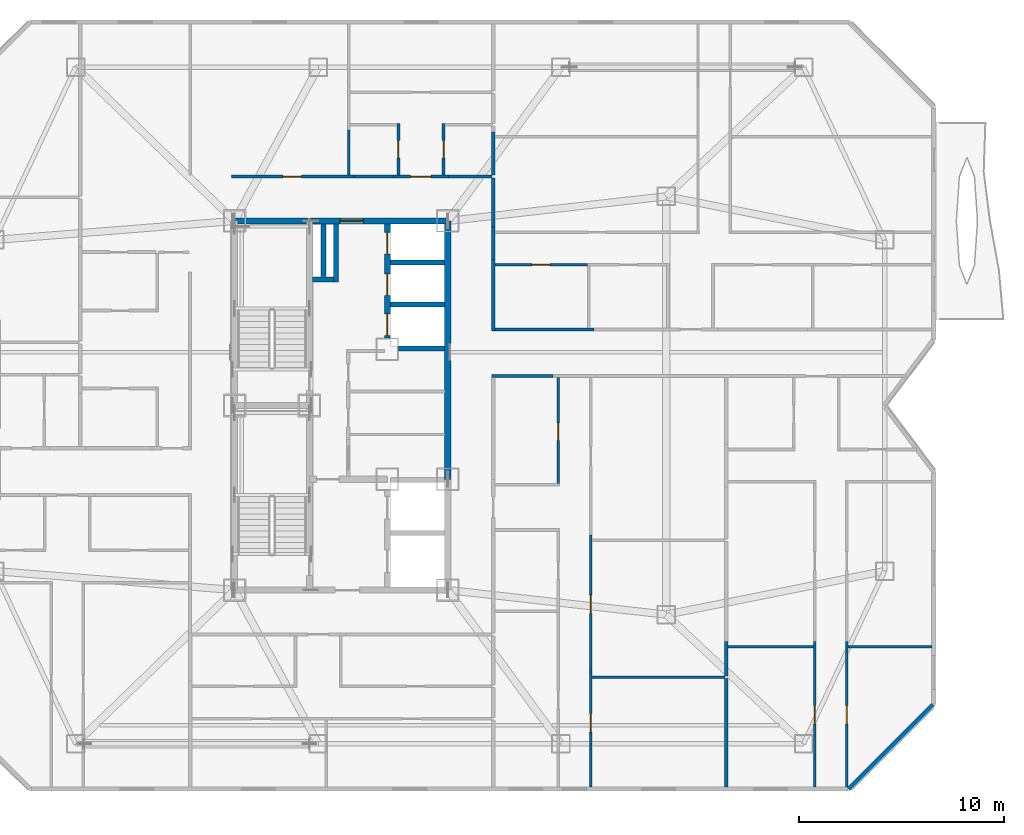
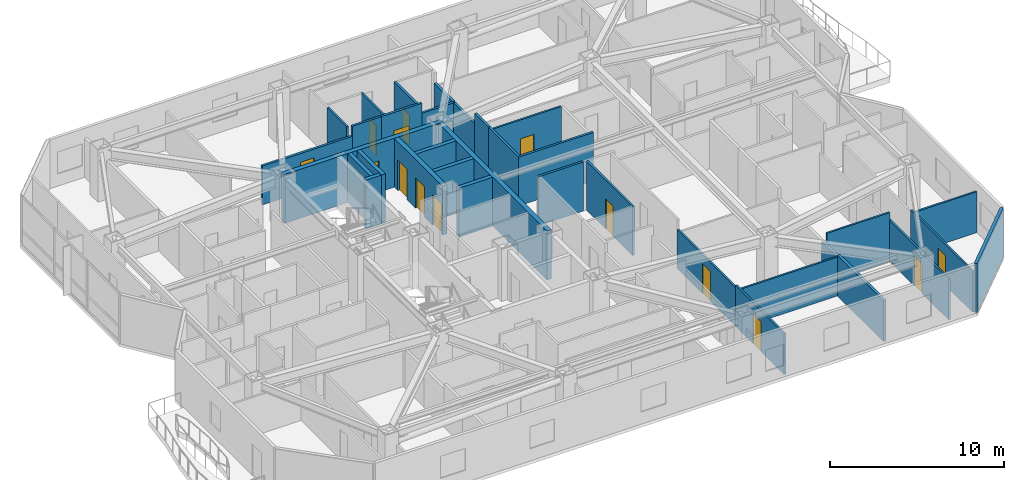
# One storey, part 14 of 18: 34 walls, 14 doors, 14 openings.
"""IFC4 building model written with IfcOpenShell, lengths in metres."""

from ifc_helpers import new_model, si_unit, direction, frame, frame_2d, origin, place, context, subcontext, project, spatial, rectangle, extrude, material, layer, layer_set, type_object, element, fill, save


model = new_model("IFC4")

# Units and contexts
model_context = context("Model", 3, precision=1e-05, world=origin(), true_north=direction((0.0, 1.0)))
body_context = subcontext(model_context, "Body", "Model", "MODEL_VIEW")
ifc_project = project(units=[si_unit("LENGTHUNIT", "METRE"), si_unit("AREAUNIT", "SQUARE_METRE"), si_unit("VOLUMEUNIT", "CUBIC_METRE"), si_unit("PLANEANGLEUNIT", "RADIAN"), si_unit("MASSUNIT", "GRAM", prefix="KILO")], contexts=[model_context])

# Site, building, storey
site_placement = place(None, origin())
site = spatial("IfcSite", under=ifc_project, at=site_placement, CompositionType="ELEMENT")
building_placement = place(site_placement, origin())
building = spatial("IfcBuilding", under=site, at=building_placement, Name="Khamvora Tower", CompositionType="ELEMENT")
storey_placement = place(building_placement, frame((0.0, 0.0, 181.449951171875)))
storey = spatial("IfcBuildingStorey", under=building, at=storey_placement, Name="L46", CompositionType="ELEMENT", Elevation=181.449951171875)

# Wall, opening, door
ifc_material_1 = material(Name="Concrete C50/60", Category="concrete")
ifc_layer_1 = layer(ifc_material_1, 0.300048828125)
ifc_layer_set_1 = layer_set([ifc_layer_1], Name="Concrete C50/60")
wall_type_1 = type_object("IfcWallType", Name="WAL-CORE-300", PredefinedType="SHEAR", material=ifc_layer_set_1)
wall_1_placement = place(storey_placement, frame((29.0, 37.0, 0.0), z_axis=(0.0, 0.0, 1.0), x_axis=(1.0, 0.0, 0.0)))
wall_1 = element("IfcWall", 1, at=wall_1_placement, inside=storey, type_object=wall_type_1, Name="L46 central core north wall", PredefinedType="SHEAR", context=body_context, shape_type="SweptSolid", body=[
    extrude(rectangle(XDim=10.39990234375, YDim=0.300048828125, at=frame_2d((5.199951171875, 0.0))), origin(), (0.0, 0.0, 1.0), 3.429931640625),
])
opening_1_placement = place(wall_1_placement, frame((5.139892578125, 0.0, 0.0)))
opening_1 = element("IfcOpeningElement", 2, at=opening_1_placement, cuts=wall_1, Name="Opening D-SC1", PredefinedType="OPENING", context=body_context, shape_type="SweptSolid", body=[
    extrude(rectangle(XDim=1.14990234375, YDim=2.199951171875, at=frame_2d((0.574951171875, 1.10009765625))), frame((0.0, 0.159912109375, 0.0), z_axis=(0.0, -1.0, 0.0), x_axis=(1.0, 0.0, 0.0)), (0.0, 0.0, 1.0), 0.320068359375),
])
ifc_material_2 = material(Name="Powder-Coated Steel and Hardwood Leaf", Category="steel")
door_type_1 = type_object("IfcDoorType", Name="DOR-SCHL-1150", OperationType="NOTDEFINED", PredefinedType="DOOR", material=ifc_material_2)
door_1_placement = place(opening_1_placement, origin())
door_1 = element("IfcDoor", 3, at=door_1_placement, inside=storey, type_object=door_type_1, Name="L46 north core lobby to corridor fire door", OperationType="SINGLE_SWING_RIGHT", OverallHeight=2.199951171875, OverallWidth=1.14990234375, PredefinedType="DOOR", context=body_context, shape_type="SweptSolid", body=[
    extrude(rectangle(XDim=1.14990234375, YDim=2.199951171875, at=frame_2d((0.574951171875, 1.10009765625))), frame((0.0, 0.02490234375, 0.0), z_axis=(0.0, -1.0, 0.0), x_axis=(1.0, 0.0, 0.0)), (0.0, 0.0, 1.0), 0.050048828125),
])
fill(opening_1, door_1)

# Wall
wall_2_placement = place(storey_placement, frame((39.39990234375, 24.39990234375, 0.0), z_axis=(0.0, 0.0, 1.0), x_axis=(0.0, 1.0, 0.0)))
element("IfcWall", 4, at=wall_2_placement, inside=storey, type_object=wall_type_1, Name="L46 central core east north wall", PredefinedType="SHEAR", context=body_context, shape_type="SweptSolid", body=[
    extrude(rectangle(XDim=12.60009765625, YDim=0.300048828125, at=frame_2d((6.300048828125, 0.0))), origin(), (0.0, 0.0, 1.0), 3.429931640625),
])

# Wall, openings, doors
wall_3_placement = place(storey_placement, frame((36.449951171875, 31.300048828125, 0.0), z_axis=(0.0, 0.0, 1.0), x_axis=(0.0, 1.0, 0.0)))
wall_3 = element("IfcWall", 5, at=wall_3_placement, inside=storey, type_object=wall_type_1, Name="L46 central core lift bank central wall", PredefinedType="SHEAR", context=body_context, shape_type="SweptSolid", body=[
    extrude(rectangle(XDim=5.5458984375, YDim=0.300048828125, at=frame_2d((2.77294921875, 0.0))), origin(), (0.0, 0.0, 1.0), 3.429931640625),
])
opening_2_placement = place(wall_3_placement, frame((0.1201171875, 0.0, 0.0)))
opening_2 = element("IfcOpeningElement", 6, at=opening_2_placement, cuts=wall_3, Name="Opening LD-PL", PredefinedType="OPENING", context=body_context, shape_type="SweptSolid", body=[
    extrude(rectangle(XDim=1.050048828125, YDim=2.14990234375, at=frame_2d((0.52490234375, 1.074951171875))), frame((0.0, 0.159912109375, 0.0), z_axis=(0.0, -1.0, 0.0), x_axis=(1.0, 0.0, 0.0)), (0.0, 0.0, 1.0), 0.320068359375),
])
opening_3_placement = place(wall_3_placement, frame((2.074951171875, 0.0, 0.0)))
opening_3 = element("IfcOpeningElement", 7, at=opening_3_placement, cuts=wall_3, Name="Opening LD-PL", PredefinedType="OPENING", context=body_context, shape_type="SweptSolid", body=[
    extrude(rectangle(XDim=1.050048828125, YDim=2.14990234375, at=frame_2d((0.52490234375, 1.074951171875))), frame((0.0, 0.159912109375, 0.0), z_axis=(0.0, -1.0, 0.0), x_axis=(1.0, 0.0, 0.0)), (0.0, 0.0, 1.0), 0.320068359375),
])
opening_4_placement = place(wall_3_placement, frame((4.094970703125, 0.0, 0.0)))
opening_4 = element("IfcOpeningElement", 8, at=opening_4_placement, cuts=wall_3, Name="Opening LD-PL", PredefinedType="OPENING", context=body_context, shape_type="SweptSolid", body=[
    extrude(rectangle(XDim=1.050048828125, YDim=2.14990234375, at=frame_2d((0.52490234375, 1.074951171875))), frame((0.0, 0.159912109375, 0.0), z_axis=(0.0, -1.0, 0.0), x_axis=(1.0, 0.0, 0.0)), (0.0, 0.0, 1.0), 0.320068359375),
])
door_type_2 = type_object("IfcDoorType", Name="DOR-LIFT-1050", OperationType="SLIDING_TO_LEFT", PredefinedType="DOOR", material=ifc_material_2)
door_2_placement = place(opening_2_placement, origin())
door_2 = element("IfcDoor", 9, at=door_2_placement, inside=storey, type_object=door_type_2, Name="L46 lift landing sliding door PH-01", OperationType="SLIDING_TO_LEFT", OverallHeight=2.14990234375, OverallWidth=1.050048828125, PredefinedType="DOOR", context=body_context, shape_type="SweptSolid", body=[
    extrude(rectangle(XDim=1.050048828125, YDim=2.14990234375, at=frame_2d((0.52490234375, 1.074951171875))), frame((0.0, 0.02490234375, 0.0), z_axis=(0.0, -1.0, 0.0), x_axis=(1.0, 0.0, 0.0)), (0.0, 0.0, 1.0), 0.050048828125),
])
fill(opening_2, door_2)
door_3_placement = place(opening_3_placement, origin())
door_3 = element("IfcDoor", 10, at=door_3_placement, inside=storey, type_object=door_type_2, Name="L46 lift landing sliding door PH-02", OperationType="SLIDING_TO_LEFT", OverallHeight=2.14990234375, OverallWidth=1.050048828125, PredefinedType="DOOR", context=body_context, shape_type="SweptSolid", body=[
    extrude(rectangle(XDim=1.050048828125, YDim=2.14990234375, at=frame_2d((0.52490234375, 1.074951171875))), frame((0.0, 0.02490234375, 0.0), z_axis=(0.0, -1.0, 0.0), x_axis=(1.0, 0.0, 0.0)), (0.0, 0.0, 1.0), 0.050048828125),
])
fill(opening_3, door_3)
door_4_placement = place(opening_4_placement, origin())
door_4 = element("IfcDoor", 11, at=door_4_placement, inside=storey, type_object=door_type_2, Name="L46 lift landing sliding door PH-03", OperationType="SLIDING_TO_LEFT", OverallHeight=2.14990234375, OverallWidth=1.050048828125, PredefinedType="DOOR", context=body_context, shape_type="SweptSolid", body=[
    extrude(rectangle(XDim=1.050048828125, YDim=2.14990234375, at=frame_2d((0.52490234375, 1.074951171875))), frame((0.0, 0.02490234375, 0.0), z_axis=(0.0, -1.0, 0.0), x_axis=(1.0, 0.0, 0.0)), (0.0, 0.0, 1.0), 0.050048828125),
])
fill(opening_4, door_4)

# Wall, opening, door
ifc_material_3 = material(Name="Fire-Rated Drywall and Steel Stud", Category="steel")
ifc_layer_2 = layer(ifc_material_3, 0.14990234375)
ifc_layer_set_2 = layer_set([ifc_layer_2], Name="Fire-Rated Drywall and Steel Stud")
wall_type_2 = type_object("IfcWallType", Name="WAL-CORR-150", PredefinedType="STANDARD", material=ifc_layer_set_2)
wall_4_placement = place(storey_placement, frame((28.85009765625, 39.1650390625, 0.0), z_axis=(0.0, 0.0, 1.0), x_axis=(1.0, 0.0, 0.0)))
wall_4 = element("IfcWall", 12, at=wall_4_placement, inside=storey, type_object=wall_type_2, Name="L46 interior partition wall 007", PredefinedType="STANDARD", context=body_context, shape_type="SweptSolid", body=[
    extrude(rectangle(XDim=5.9638671875, YDim=0.14990234375, at=frame_2d((2.98193359375, 0.0))), origin(), (0.0, 0.0, 1.0), 2.72509765625),
])
opening_5_placement = place(wall_4_placement, frame((2.510986328125, 0.0, 0.0)))
opening_5 = element("IfcOpeningElement", 13, at=opening_5_placement, cuts=wall_4, Name="Opening D-RM1", PredefinedType="OPENING", context=body_context, shape_type="SweptSolid", body=[
    extrude(rectangle(XDim=0.89990234375, YDim=2.10009765625, at=frame_2d((0.449951171875, 1.050048828125))), frame((0.0, 0.0849609375, 0.0), z_axis=(0.0, -1.0, 0.0), x_axis=(1.0, 0.0, 0.0)), (0.0, 0.0, 1.0), 0.169921875),
])
door_type_3 = type_object("IfcDoorType", Name="DOR-ROOM-900", OperationType="NOTDEFINED", PredefinedType="DOOR", material=ifc_material_2)
door_5_placement = place(opening_5_placement, origin())
door_5 = element("IfcDoor", 14, at=door_5_placement, inside=storey, type_object=door_type_3, Name="L46 interior door COR-RPLY", OperationType="SINGLE_SWING_RIGHT", OverallHeight=2.10009765625, OverallWidth=0.89990234375, PredefinedType="DOOR", context=body_context, shape_type="SweptSolid", body=[
    extrude(rectangle(XDim=0.89990234375, YDim=2.10009765625, at=frame_2d((0.449951171875, 1.050048828125))), frame((0.0, 0.02490234375, 0.0), z_axis=(0.0, -1.0, 0.0), x_axis=(1.0, 0.0, 0.0)), (0.0, 0.0, 1.0), 0.050048828125),
])
fill(opening_5, door_5)

wall_5_placement = place(storey_placement, frame((36.740966796875, 39.1650390625, 0.0), z_axis=(0.0, 0.0, 1.0), x_axis=(1.0, 0.0, 0.0)))
wall_5 = element("IfcWall", 15, at=wall_5_placement, inside=storey, type_object=wall_type_2, Name="L46 interior partition wall 022", PredefinedType="STANDARD", context=body_context, shape_type="SweptSolid", body=[
    extrude(rectangle(XDim=2.697998046875, YDim=0.14990234375, at=frame_2d((1.34912109375, 0.0))), origin(), (0.0, 0.0, 1.0), 3.429931640625),
])
opening_6_placement = place(wall_5_placement, frame((0.84912109375, 0.0, 0.0)))
opening_6 = element("IfcOpeningElement", 16, at=opening_6_placement, cuts=wall_5, Name="Opening D-U1", PredefinedType="OPENING", context=body_context, shape_type="SweptSolid", body=[
    extrude(rectangle(XDim=1.0, YDim=2.14990234375, at=frame_2d((0.5, 1.074951171875))), frame((0.0, 0.0849609375, 0.0), z_axis=(0.0, -1.0, 0.0), x_axis=(1.0, 0.0, 0.0)), (0.0, 0.0, 1.0), 0.169921875),
])
door_type_4 = type_object("IfcDoorType", Name="DOR-UNIT-1000", OperationType="NOTDEFINED", PredefinedType="DOOR", material=ifc_material_2)
door_6_placement = place(opening_6_placement, origin())
door_6 = element("IfcDoor", 17, at=door_6_placement, inside=storey, type_object=door_type_4, Name="L46 interior door COR-46NAH", OperationType="SINGLE_SWING_LEFT", OverallHeight=2.14990234375, OverallWidth=1.0, PredefinedType="DOOR", context=body_context, shape_type="SweptSolid", body=[
    extrude(rectangle(XDim=1.0, YDim=2.14990234375, at=frame_2d((0.5, 1.074951171875))), frame((0.0, 0.02490234375, 0.0), z_axis=(0.0, -1.0, 0.0), x_axis=(1.0, 0.0, 0.0)), (0.0, 0.0, 1.0), 0.050048828125),
])
fill(opening_6, door_6)

# Walls
wall_6_placement = place(storey_placement, frame((39.43896484375, 39.1650390625, 0.0), z_axis=(0.0, 0.0, 1.0), x_axis=(1.0, 0.0, 0.0)))
element("IfcWall", 18, at=wall_6_placement, inside=storey, type_object=wall_type_2, Name="L46 interior partition wall 023", PredefinedType="STANDARD", context=body_context, shape_type="SweptSolid", body=[
    extrude(rectangle(XDim=2.111083984375, YDim=0.14990234375, at=frame_2d((1.0556640625, 0.0))), origin(), (0.0, 0.0, 1.0), 2.72509765625),
])
wall_7_placement = place(storey_placement, frame((34.81396484375, 39.1650390625, 0.0), z_axis=(0.0, 0.0, 1.0), x_axis=(1.0, 0.0, 0.0)))
element("IfcWall", 19, at=wall_7_placement, inside=storey, type_object=wall_type_2, Name="L46 interior partition wall 024", PredefinedType="STANDARD", context=body_context, shape_type="SweptSolid", body=[
    extrude(rectangle(XDim=1.927001953125, YDim=0.14990234375, at=frame_2d((0.96337890625, 0.0))), origin(), (0.0, 0.0, 1.0), 3.429931640625),
])
wall_8_placement = place(storey_placement, frame((44.5390625, 29.43505859375, 0.0), z_axis=(0.0, 0.0, 1.0), x_axis=(-1.0, 0.0, 0.0)))
element("IfcWall", 20, at=wall_8_placement, inside=storey, type_object=wall_type_2, Name="L46 interior partition wall 029", PredefinedType="STANDARD", context=body_context, shape_type="SweptSolid", body=[
    extrude(rectangle(XDim=2.989013671875, YDim=0.14990234375, at=frame_2d((1.49462890625, 0.0))), origin(), (0.0, 0.0, 1.0), 3.429931640625),
])
wall_9_placement = place(storey_placement, frame((41.614990234375, 35.117919921875, 0.0), z_axis=(0.0, 0.0, 1.0), x_axis=(0.0, -1.0, 0.0)))
element("IfcWall", 21, at=wall_9_placement, inside=storey, type_object=wall_type_2, Name="L46 interior partition wall 035", PredefinedType="STANDARD", context=body_context, shape_type="SweptSolid", body=[
    extrude(rectangle(XDim=3.468017578125, YDim=0.14990234375, at=frame_2d((1.73388671875, 0.0))), origin(), (0.0, 0.0, 1.0), 3.429931640625),
])
wall_10_placement = place(storey_placement, frame((41.550048828125, 31.715087890625, 0.0), z_axis=(0.0, 0.0, 1.0), x_axis=(1.0, 0.0, 0.0)))
element("IfcWall", 22, at=wall_10_placement, inside=storey, type_object=wall_type_2, Name="L46 interior partition wall 036", PredefinedType="STANDARD", context=body_context, shape_type="SweptSolid", body=[
    extrude(rectangle(XDim=4.968994140625, YDim=0.14990234375, at=frame_2d((2.484375, 0.0))), origin(), (0.0, 0.0, 1.0), 3.429931640625),
])
wall_11_placement = place(storey_placement, frame((41.614990234375, 36.697998046875, 0.0), z_axis=(0.0, 0.0, 1.0), x_axis=(0.0, -1.0, 0.0)))
element("IfcWall", 23, at=wall_11_placement, inside=storey, type_object=wall_type_2, Name="L46 interior partition wall 038", PredefinedType="STANDARD", context=body_context, shape_type="SweptSolid", body=[
    extrude(rectangle(XDim=1.580078125, YDim=0.14990234375, at=frame_2d((0.7900390625, 0.0))), origin(), (0.0, 0.0, 1.0), 3.429931640625),
])
wall_12_placement = place(storey_placement, frame((41.614990234375, 39.10009765625, 0.0), z_axis=(0.0, 0.0, 1.0), x_axis=(0.0, -1.0, 0.0)))
element("IfcWall", 24, at=wall_12_placement, inside=storey, type_object=wall_type_2, Name="L46 interior partition wall 042", PredefinedType="STANDARD", context=body_context, shape_type="SweptSolid", body=[
    extrude(rectangle(XDim=2.402099609375, YDim=0.14990234375, at=frame_2d((1.201171875, 0.0))), origin(), (0.0, 0.0, 1.0), 2.72509765625),
])
ifc_material_4 = material(Name="Acoustic Double-Stud Fire Wall", Category="gypsum")
ifc_layer_3 = layer(ifc_material_4, 0.179931640625)
ifc_layer_set_3 = layer_set([ifc_layer_3], Name="Acoustic Double-Stud Fire Wall")
wall_type_3 = type_object("IfcWallType", Name="WAL-CORR-180", PredefinedType="STANDARD", material=ifc_layer_set_3)
wall_13_placement = place(storey_placement, frame((41.614990234375, 41.346923828125, 0.0), z_axis=(0.0, 0.0, 1.0), x_axis=(0.0, -1.0, 0.0)))
element("IfcWall", 25, at=wall_13_placement, inside=storey, type_object=wall_type_3, Name="L46 interior partition wall 095", PredefinedType="STANDARD", context=body_context, shape_type="SweptSolid", body=[
    extrude(rectangle(XDim=2.116943359375, YDim=0.179931640625, at=frame_2d((1.05859375, 0.0))), origin(), (0.0, 0.0, 1.0), 2.72509765625),
])
wall_14_placement = place(storey_placement, frame((52.985107421875, 14.680908203125, 0.0), z_axis=(0.0, 0.0, 1.0), x_axis=(0.0, -1.0, 0.0)))
element("IfcWall", 26, at=wall_14_placement, inside=storey, type_object=wall_type_3, Name="L46 interior partition wall 108", PredefinedType="STANDARD", context=body_context, shape_type="SweptSolid", body=[
    extrude(rectangle(XDim=5.288818359375, YDim=0.179931640625, at=frame_2d((2.64453125, 0.0))), origin(), (0.0, 0.0, 1.0), 2.8759765625),
])
wall_15_placement = place(storey_placement, frame((52.985107421875, 16.47998046875, 0.0), z_axis=(0.0, 0.0, 1.0), x_axis=(0.0, -1.0, 0.0)))
element("IfcWall", 27, at=wall_15_placement, inside=storey, type_object=wall_type_3, Name="L46 interior partition wall 110", PredefinedType="STANDARD", context=body_context, shape_type="SweptSolid", body=[
    extrude(rectangle(XDim=1.6689453125, YDim=0.179931640625, at=frame_2d((0.83447265625, 0.0))), origin(), (0.0, 0.0, 1.0), 2.72509765625),
])
ifc_material_5 = material(Name="Precast concrete C40/50", Category="concrete")
ifc_layer_4 = layer(ifc_material_5, 0.199951171875)
ifc_layer_set_4 = layer_set([ifc_layer_4], Name="Precast concrete C40/50")
wall_type_4 = type_object("IfcWallType", Name="WAL-EXT-200", PredefinedType="STANDARD", material=ifc_layer_set_4)
wall_16_placement = place(storey_placement, frame((63.056884765625, 13.39794921875, 0.0), z_axis=(0.0, 0.0, 1.0), x_axis=(-0.707106781187, -0.707106781187, 0.0)))
element("IfcWall", 28, at=wall_16_placement, inside=storey, type_object=wall_type_4, Name="L46 exterior facade wall 13.1", PredefinedType="STANDARD", context=body_context, shape_type="SweptSolid", body=[
    extrude(rectangle(XDim=5.79541015625, YDim=0.199951171875, at=frame_2d((2.897705078125, 0.0))), origin(), (0.0, 0.0, 1.0), 3.429931640625),
])

# Wall, opening, door
ifc_material_6 = material(Name="Gypsum Plasterboard Partition", Category="gypsum")
ifc_layer_5 = layer(ifc_material_6, 0.1201171875)
ifc_layer_set_5 = layer_set([ifc_layer_5], Name="Gypsum Plasterboard Partition")
wall_type_5 = type_object("IfcWallType", Name="WAL-PART-120", PredefinedType="PARTITIONING", material=ifc_layer_set_5)
wall_17_placement = place(storey_placement, frame((46.367919921875, 14.9951171875, 0.0), z_axis=(0.0, 0.0, 1.0), x_axis=(0.0, -1.0, 0.0)))
wall_17 = element("IfcWall", 29, at=wall_17_placement, inside=storey, type_object=wall_type_5, Name="L46 interior partition wall 104", PredefinedType="PARTITIONING", context=body_context, shape_type="SweptSolid", body=[
    extrude(rectangle(XDim=5.60302734375, YDim=0.1201171875, at=frame_2d((2.801513671875, 0.0))), origin(), (0.0, 0.0, 1.0), 2.8759765625),
])
opening_7_placement = place(wall_17_placement, frame((2.02392578125, 0.0, 0.0)))
opening_7 = element("IfcOpeningElement", 30, at=opening_7_placement, cuts=wall_17, Name="Opening D-RM1", PredefinedType="OPENING", context=body_context, shape_type="SweptSolid", body=[
    extrude(rectangle(XDim=0.89990234375, YDim=2.10009765625, at=frame_2d((0.449951171875, 1.050048828125))), frame((0.0, 0.070068359375, 0.0), z_axis=(0.0, -1.0, 0.0), x_axis=(1.0, 0.0, 0.0)), (0.0, 0.0, 1.0), 0.14013671875),
])
door_7_placement = place(opening_7_placement, origin())
door_7 = element("IfcDoor", 31, at=door_7_placement, inside=storey, type_object=door_type_3, Name="L46 interior door 46EAH-46EAR1", OperationType="SINGLE_SWING_LEFT", OverallHeight=2.10009765625, OverallWidth=0.89990234375, PredefinedType="DOOR", context=body_context, shape_type="SweptSolid", body=[
    extrude(rectangle(XDim=0.89990234375, YDim=2.10009765625, at=frame_2d((0.449951171875, 1.050048828125))), frame((0.0, 0.02490234375, 0.0), z_axis=(0.0, -1.0, 0.0), x_axis=(1.0, 0.0, 0.0)), (0.0, 0.0, 1.0), 0.050048828125),
])
fill(opening_7, door_7)

wall_18_placement = place(storey_placement, frame((46.367919921875, 21.681884765625, 0.0), z_axis=(0.0, 0.0, 1.0), x_axis=(0.0, -1.0, 0.0)))
wall_18 = element("IfcWall", 32, at=wall_18_placement, inside=storey, type_object=wall_type_5, Name="L46 interior partition wall 105", PredefinedType="PARTITIONING", context=body_context, shape_type="SweptSolid", body=[
    extrude(rectangle(XDim=6.686767578125, YDim=0.1201171875, at=frame_2d((3.34326171875, 0.0))), origin(), (0.0, 0.0, 1.0), 2.72509765625),
])
opening_8_placement = place(wall_18_placement, frame((2.9140625, 0.0, 0.0)))
opening_8 = element("IfcOpeningElement", 33, at=opening_8_placement, cuts=wall_18, Name="Opening D-RM1", PredefinedType="OPENING", context=body_context, shape_type="SweptSolid", body=[
    extrude(rectangle(XDim=0.89990234375, YDim=2.10009765625, at=frame_2d((0.449951171875, 1.050048828125))), frame((0.0, 0.070068359375, 0.0), z_axis=(0.0, -1.0, 0.0), x_axis=(1.0, 0.0, 0.0)), (0.0, 0.0, 1.0), 0.14013671875),
])
door_8_placement = place(opening_8_placement, origin())
door_8 = element("IfcDoor", 34, at=door_8_placement, inside=storey, type_object=door_type_3, Name="L46 interior door 46EAH-46EAR2", OperationType="SINGLE_SWING_LEFT", OverallHeight=2.10009765625, OverallWidth=0.89990234375, PredefinedType="DOOR", context=body_context, shape_type="SweptSolid", body=[
    extrude(rectangle(XDim=0.89990234375, YDim=2.10009765625, at=frame_2d((0.449951171875, 1.050048828125))), frame((0.0, 0.02490234375, 0.0), z_axis=(0.0, -1.0, 0.0), x_axis=(1.0, 0.0, 0.0)), (0.0, 0.0, 1.0), 0.050048828125),
])
fill(opening_8, door_8)

# Wall
wall_19_placement = place(storey_placement, frame((46.422119140625, 14.74609375, 0.0), z_axis=(0.0, 0.0, 1.0), x_axis=(1.0, 0.0, 0.0)))
element("IfcWall", 35, at=wall_19_placement, inside=storey, type_object=wall_type_5, Name="L46 interior partition wall 107", PredefinedType="PARTITIONING", context=body_context, shape_type="SweptSolid", body=[
    extrude(rectangle(XDim=6.497802734375, YDim=0.1201171875, at=frame_2d((3.2490234375, 0.0))), origin(), (0.0, 0.0, 1.0), 2.72509765625),
])

# Wall, opening, door
wall_20_placement = place(storey_placement, frame((57.284912109375, 9.39208984375, 0.0), z_axis=(0.0, 0.0, 1.0), x_axis=(0.0, 1.0, 0.0)))
wall_20 = element("IfcWall", 36, at=wall_20_placement, inside=storey, type_object=wall_type_5, Name="L46 interior partition wall 119", PredefinedType="PARTITIONING", context=body_context, shape_type="SweptSolid", body=[
    extrude(rectangle(XDim=7.087890625, YDim=0.1201171875, at=frame_2d((3.5439453125, 0.0))), origin(), (0.0, 0.0, 1.0), 2.8759765625),
])
opening_9_placement = place(wall_20_placement, frame((3.072998046875, 0.0, 0.0)))
opening_9 = element("IfcOpeningElement", 37, at=opening_9_placement, cuts=wall_20, Name="Opening D-RM1", PredefinedType="OPENING", context=body_context, shape_type="SweptSolid", body=[
    extrude(rectangle(XDim=0.89990234375, YDim=2.10009765625, at=frame_2d((0.449951171875, 1.050048828125))), frame((0.0, 0.070068359375, 0.0), z_axis=(0.0, -1.0, 0.0), x_axis=(1.0, 0.0, 0.0)), (0.0, 0.0, 1.0), 0.14013671875),
])
door_9_placement = place(opening_9_placement, origin())
door_9 = element("IfcDoor", 38, at=door_9_placement, inside=storey, type_object=door_type_3, Name="L46 interior door 46EBH-46EBL", OperationType="SINGLE_SWING_RIGHT", OverallHeight=2.10009765625, OverallWidth=0.89990234375, PredefinedType="DOOR", context=body_context, shape_type="SweptSolid", body=[
    extrude(rectangle(XDim=0.89990234375, YDim=2.10009765625, at=frame_2d((0.449951171875, 1.050048828125))), frame((0.0, 0.02490234375, 0.0), z_axis=(0.0, -1.0, 0.0), x_axis=(1.0, 0.0, 0.0)), (0.0, 0.0, 1.0), 0.050048828125),
])
fill(opening_9, door_9)

wall_21_placement = place(storey_placement, frame((58.85498046875, 16.47998046875, 0.0), z_axis=(0.0, 0.0, 1.0), x_axis=(0.0, -1.0, 0.0)))
wall_21 = element("IfcWall", 39, at=wall_21_placement, inside=storey, type_object=wall_type_5, Name="L46 interior partition wall 122", PredefinedType="PARTITIONING", context=body_context, shape_type="SweptSolid", body=[
    extrude(rectangle(XDim=7.087890625, YDim=0.1201171875, at=frame_2d((3.5439453125, 0.0))), origin(), (0.0, 0.0, 1.0), 2.8759765625),
])
opening_10_placement = place(wall_21_placement, frame((3.114990234375, 0.0, 0.0)))
opening_10 = element("IfcOpeningElement", 40, at=opening_10_placement, cuts=wall_21, Name="Opening D-RM1", PredefinedType="OPENING", context=body_context, shape_type="SweptSolid", body=[
    extrude(rectangle(XDim=0.89990234375, YDim=2.10009765625, at=frame_2d((0.449951171875, 1.050048828125))), frame((0.0, 0.070068359375, 0.0), z_axis=(0.0, -1.0, 0.0), x_axis=(1.0, 0.0, 0.0)), (0.0, 0.0, 1.0), 0.14013671875),
])
door_10_placement = place(opening_10_placement, origin())
door_10 = element("IfcDoor", 41, at=door_10_placement, inside=storey, type_object=door_type_3, Name="L46 interior door 46EBH-46EBR3", OperationType="SINGLE_SWING_LEFT", OverallHeight=2.10009765625, OverallWidth=0.89990234375, PredefinedType="DOOR", context=body_context, shape_type="SweptSolid", body=[
    extrude(rectangle(XDim=0.89990234375, YDim=2.10009765625, at=frame_2d((0.449951171875, 1.050048828125))), frame((0.0, 0.02490234375, 0.0), z_axis=(0.0, -1.0, 0.0), x_axis=(1.0, 0.0, 0.0)), (0.0, 0.0, 1.0), 0.050048828125),
])
fill(opening_10, door_10)

# Walls
wall_22_placement = place(storey_placement, frame((53.06689453125, 16.23095703125, 0.0), z_axis=(0.0, 0.0, 1.0), x_axis=(1.0, 0.0, 0.0)))
element("IfcWall", 42, at=wall_22_placement, inside=storey, type_object=wall_type_5, Name="L46 interior partition wall 125", PredefinedType="PARTITIONING", context=body_context, shape_type="SweptSolid", body=[
    extrude(rectangle(XDim=4.1640625, YDim=0.1201171875, at=frame_2d((2.08203125, 0.0))), origin(), (0.0, 0.0, 1.0), 3.429931640625),
])
wall_23_placement = place(storey_placement, frame((58.908935546875, 16.23095703125, 0.0), z_axis=(0.0, 0.0, 1.0), x_axis=(1.0, 0.0, 0.0)))
element("IfcWall", 43, at=wall_23_placement, inside=storey, type_object=wall_type_5, Name="L46 interior partition wall 126", PredefinedType="PARTITIONING", context=body_context, shape_type="SweptSolid", body=[
    extrude(rectangle(XDim=4.09912109375, YDim=0.1201171875, at=frame_2d((2.049560546875, 0.0))), origin(), (0.0, 0.0, 1.0), 2.8759765625),
])

# Wall, opening, door
wall_24_placement = place(storey_placement, frame((41.681884765625, 34.868896484375, 0.0), z_axis=(0.0, 0.0, 1.0), x_axis=(1.0, 0.0, 0.0)))
wall_24 = element("IfcWall", 44, at=wall_24_placement, inside=storey, type_object=wall_type_5, Name="L46 interior partition wall 127", PredefinedType="PARTITIONING", context=body_context, shape_type="SweptSolid", body=[
    extrude(rectangle(XDim=4.523193359375, YDim=0.1201171875, at=frame_2d((2.26171875, 0.0))), origin(), (0.0, 0.0, 1.0), 3.429931640625),
])
opening_11_placement = place(wall_24_placement, frame((1.81103515625, 0.0, 0.0)))
opening_11 = element("IfcOpeningElement", 45, at=opening_11_placement, cuts=wall_24, Name="Opening D-RM1", PredefinedType="OPENING", context=body_context, shape_type="SweptSolid", body=[
    extrude(rectangle(XDim=0.89990234375, YDim=2.10009765625, at=frame_2d((0.449951171875, 1.050048828125))), frame((0.0, 0.070068359375, 0.0), z_axis=(0.0, -1.0, 0.0), x_axis=(1.0, 0.0, 0.0)), (0.0, 0.0, 1.0), 0.14013671875),
])
door_11_placement = place(opening_11_placement, origin())
door_11 = element("IfcDoor", 46, at=door_11_placement, inside=storey, type_object=door_type_3, Name="L46 interior door 46ECW1-46ECH", OperationType="SINGLE_SWING_LEFT", OverallHeight=2.10009765625, OverallWidth=0.89990234375, PredefinedType="DOOR", context=body_context, shape_type="SweptSolid", body=[
    extrude(rectangle(XDim=0.89990234375, YDim=2.10009765625, at=frame_2d((0.449951171875, 1.050048828125))), frame((0.0, 0.02490234375, 0.0), z_axis=(0.0, -1.0, 0.0), x_axis=(1.0, 0.0, 0.0)), (0.0, 0.0, 1.0), 0.050048828125),
])
fill(opening_11, door_11)

# Walls
ifc_material_7 = material(Name="Concrete C40/50", Category="concrete")
ifc_layer_6 = layer(ifc_material_7, 0.25)
ifc_layer_set_6 = layer_set([ifc_layer_6], Name="Concrete C40/50")
wall_type_6 = type_object("IfcWallType", Name="WAL-PODS-250", PredefinedType="SHEAR", material=ifc_layer_set_6)
wall_25_placement = place(storey_placement, frame((37.00390625, 30.77490234375, 0.0), z_axis=(0.0, 0.0, 1.0), x_axis=(1.0, 0.0, 0.0)))
element("IfcWall", 47, at=wall_25_placement, inside=storey, type_object=wall_type_6, Name="L46 high-rise lift shaft south enclosure wall PH-01", PredefinedType="SHEAR", context=body_context, shape_type="SweptSolid", body=[
    extrude(rectangle(XDim=2.2421875, YDim=0.25, at=frame_2d((1.12109375, 0.0))), origin(), (0.0, 0.0, 1.0), 3.429931640625),
])
for number, where, z_axis, x_axis, name in (
    (48, (36.60400390625, 32.925048828125, 0.0), (0.0, 0.0, 1.0), (1.0, 0.0, 0.0), "L46 lift shaft divider wall PH-01"),
    (49, (36.60400390625, 34.97509765625, 0.0), (0.0, 0.0, 1.0), (1.0, 0.0, 0.0), "L46 lift shaft divider wall PH-02"),
):
    element("IfcWall", number, at=place(storey_placement, frame(where, z_axis=z_axis, x_axis=x_axis)), inside=storey, type_object=wall_type_6, Name=name, PredefinedType="SHEAR", context=body_context, shape_type="SweptSolid", body=[
        extrude(rectangle(XDim=2.64208984375, YDim=0.25, at=frame_2d((1.321044921875, 0.0))), origin(), (0.0, 0.0, 1.0), 3.429931640625),
    ])
wall_26_placement = place(storey_placement, frame((33.955078125, 34.02490234375, 0.0), z_axis=(0.0, 0.0, 1.0), x_axis=(0.0, 1.0, 0.0)))
element("IfcWall", 50, at=wall_26_placement, inside=storey, type_object=wall_type_6, Name="L46 vertical MEP riser shaft east enclosure wall", PredefinedType="SHEAR", context=body_context, shape_type="SweptSolid", body=[
    extrude(rectangle(XDim=2.821044921875, YDim=0.25, at=frame_2d((1.41064453125, 0.0))), origin(), (0.0, 0.0, 1.0), 3.429931640625),
])
wall_27_placement = place(storey_placement, frame((32.803955078125, 34.14990234375, 0.0), z_axis=(0.0, 0.0, 1.0), x_axis=(1.0, 0.0, 0.0)))
element("IfcWall", 51, at=wall_27_placement, inside=storey, type_object=wall_type_6, Name="L46 vertical MEP riser shaft south enclosure wall", PredefinedType="SHEAR", context=body_context, shape_type="SweptSolid", body=[
    extrude(rectangle(XDim=1.02197265625, YDim=0.25, at=frame_2d((0.510986328125, 0.0))), origin(), (0.0, 0.0, 1.0), 3.429931640625),
])
wall_28_placement = place(storey_placement, frame((33.340087890625, 34.279052734375, 0.0), z_axis=(0.0, 0.0, 1.0), x_axis=(0.0, 1.0, 0.0)))
element("IfcWall", 52, at=wall_28_placement, inside=storey, type_object=wall_type_6, Name="L46 vertical MEP riser shaft divider enclosure wall", PredefinedType="SHEAR", context=body_context, shape_type="SweptSolid", body=[
    extrude(rectangle(XDim=2.56689453125, YDim=0.25, at=frame_2d((1.283447265625, 0.0))), origin(), (0.0, 0.0, 1.0), 3.429931640625),
])
ifc_material_8 = material(Name="Moisture-Resistant Plasterboard Partition", Category="gypsum")
ifc_layer_7 = layer(ifc_material_8, 0.135009765625)
ifc_layer_set_7 = layer_set([ifc_layer_7], Name="Moisture-Resistant Plasterboard Partition")
wall_type_7 = type_object("IfcWallType", Name="WAL-WET-135", PredefinedType="PARTITIONING", material=ifc_layer_set_7)
wall_29_placement = place(storey_placement, frame((34.56494140625, 41.446044921875, 0.0), z_axis=(0.0, 0.0, 1.0), x_axis=(0.0, -1.0, 0.0)))
element("IfcWall", 53, at=wall_29_placement, inside=storey, type_object=wall_type_7, Name="L46 interior partition wall 045", PredefinedType="PARTITIONING", context=body_context, shape_type="SweptSolid", body=[
    extrude(rectangle(XDim=2.214111328125, YDim=0.135009765625, at=frame_2d((1.10693359375, 0.0))), origin(), (0.0, 0.0, 1.0), 3.429931640625),
])

# Wall, opening, door
wall_30_placement = place(storey_placement, frame((39.18994140625, 41.760009765625, 0.0), z_axis=(0.0, 0.0, 1.0), x_axis=(0.0, -1.0, 0.0)))
wall_30 = element("IfcWall", 54, at=wall_30_placement, inside=storey, type_object=wall_type_7, Name="L46 interior partition wall 090", PredefinedType="PARTITIONING", context=body_context, shape_type="SweptSolid", body=[
    extrude(rectangle(XDim=2.528076171875, YDim=0.135009765625, at=frame_2d((1.26416015625, 0.0))), origin(), (0.0, 0.0, 1.0), 3.429931640625),
])
opening_12_placement = place(wall_30_placement, frame((0.839111328125, 0.0, 0.0)))
opening_12 = element("IfcOpeningElement", 55, at=opening_12_placement, cuts=wall_30, Name="Opening D-WC1", PredefinedType="OPENING", context=body_context, shape_type="SweptSolid", body=[
    extrude(rectangle(XDim=0.85009765625, YDim=2.10009765625, at=frame_2d((0.425048828125, 1.050048828125))), frame((0.0, 0.077392578125, 0.0), z_axis=(0.0, -1.0, 0.0), x_axis=(1.0, 0.0, 0.0)), (0.0, 0.0, 1.0), 0.155029296875),
])
door_type_5 = type_object("IfcDoorType", Name="DOR-WET-850", OperationType="NOTDEFINED", PredefinedType="DOOR", material=ifc_material_2)
door_12_placement = place(opening_12_placement, origin())
door_12 = element("IfcDoor", 56, at=door_12_placement, inside=storey, type_object=door_type_5, Name="L46 interior door 46NAH-46NAB", OperationType="SINGLE_SWING_LEFT", OverallHeight=2.10009765625, OverallWidth=0.85009765625, PredefinedType="DOOR", context=body_context, shape_type="SweptSolid", body=[
    extrude(rectangle(XDim=0.85009765625, YDim=2.10009765625, at=frame_2d((0.425048828125, 1.050048828125))), frame((0.0, 0.02490234375, 0.0), z_axis=(0.0, -1.0, 0.0), x_axis=(1.0, 0.0, 0.0)), (0.0, 0.0, 1.0), 0.050048828125),
])
fill(opening_12, door_12)

wall_31_placement = place(storey_placement, frame((36.989990234375, 39.23193359375, 0.0), z_axis=(0.0, 0.0, 1.0), x_axis=(0.0, 1.0, 0.0)))
wall_31 = element("IfcWall", 57, at=wall_31_placement, inside=storey, type_object=wall_type_7, Name="L46 interior partition wall 091", PredefinedType="PARTITIONING", context=body_context, shape_type="SweptSolid", body=[
    extrude(rectangle(XDim=2.528076171875, YDim=0.135009765625, at=frame_2d((1.26416015625, 0.0))), origin(), (0.0, 0.0, 1.0), 3.429931640625),
])
opening_13_placement = place(wall_31_placement, frame((0.839111328125, 0.0, 0.0)))
opening_13 = element("IfcOpeningElement", 58, at=opening_13_placement, cuts=wall_31, Name="Opening D-RM2", PredefinedType="OPENING", context=body_context, shape_type="SweptSolid", body=[
    extrude(rectangle(XDim=0.85009765625, YDim=2.10009765625, at=frame_2d((0.425048828125, 1.050048828125))), frame((0.0, 0.077392578125, 0.0), z_axis=(0.0, -1.0, 0.0), x_axis=(1.0, 0.0, 0.0)), (0.0, 0.0, 1.0), 0.155029296875),
])
door_type_6 = type_object("IfcDoorType", Name="DOR-ROOM-850", OperationType="NOTDEFINED", PredefinedType="DOOR", material=ifc_material_2)
door_13_placement = place(opening_13_placement, origin())
door_13 = element("IfcDoor", 59, at=door_13_placement, inside=storey, type_object=door_type_6, Name="L46 interior door 46NAH-46NAK", OperationType="SINGLE_SWING_RIGHT", OverallHeight=2.10009765625, OverallWidth=0.85009765625, PredefinedType="DOOR", context=body_context, shape_type="SweptSolid", body=[
    extrude(rectangle(XDim=0.85009765625, YDim=2.10009765625, at=frame_2d((0.425048828125, 1.050048828125))), frame((0.0, 0.02490234375, 0.0), z_axis=(0.0, -1.0, 0.0), x_axis=(1.0, 0.0, 0.0)), (0.0, 0.0, 1.0), 0.050048828125),
])
fill(opening_13, door_13)

wall_32_placement = place(storey_placement, frame((44.7880859375, 24.069091796875, 0.0), z_axis=(0.0, 0.0, 1.0), x_axis=(0.0, 1.0, 0.0)))
wall_32 = element("IfcWall", 60, at=wall_32_placement, inside=storey, type_object=wall_type_7, Name="L46 interior partition wall 103", PredefinedType="PARTITIONING", context=body_context, shape_type="SweptSolid", body=[
    extrude(rectangle(XDim=5.298828125, YDim=0.135009765625, at=frame_2d((2.6494140625, 0.0))), origin(), (0.0, 0.0, 1.0), 3.429931640625),
])
opening_14_placement = place(wall_32_placement, frame((2.22509765625, 0.0, 0.0)))
opening_14 = element("IfcOpeningElement", 61, at=opening_14_placement, cuts=wall_32, Name="Opening D-RM2", PredefinedType="OPENING", context=body_context, shape_type="SweptSolid", body=[
    extrude(rectangle(XDim=0.85009765625, YDim=2.10009765625, at=frame_2d((0.425048828125, 1.050048828125))), frame((0.0, 0.077392578125, 0.0), z_axis=(0.0, -1.0, 0.0), x_axis=(1.0, 0.0, 0.0)), (0.0, 0.0, 1.0), 0.155029296875),
])
door_14_placement = place(opening_14_placement, origin())
door_14 = element("IfcDoor", 62, at=door_14_placement, inside=storey, type_object=door_type_6, Name="L46 interior door 46EAH-46EAK", OperationType="SINGLE_SWING_RIGHT", OverallHeight=2.10009765625, OverallWidth=0.85009765625, PredefinedType="DOOR", context=body_context, shape_type="SweptSolid", body=[
    extrude(rectangle(XDim=0.85009765625, YDim=2.10009765625, at=frame_2d((0.425048828125, 1.050048828125))), frame((0.0, 0.02490234375, 0.0), z_axis=(0.0, -1.0, 0.0), x_axis=(1.0, 0.0, 0.0)), (0.0, 0.0, 1.0), 0.050048828125),
])
fill(opening_14, door_14)

save(model, "model.ifc")
